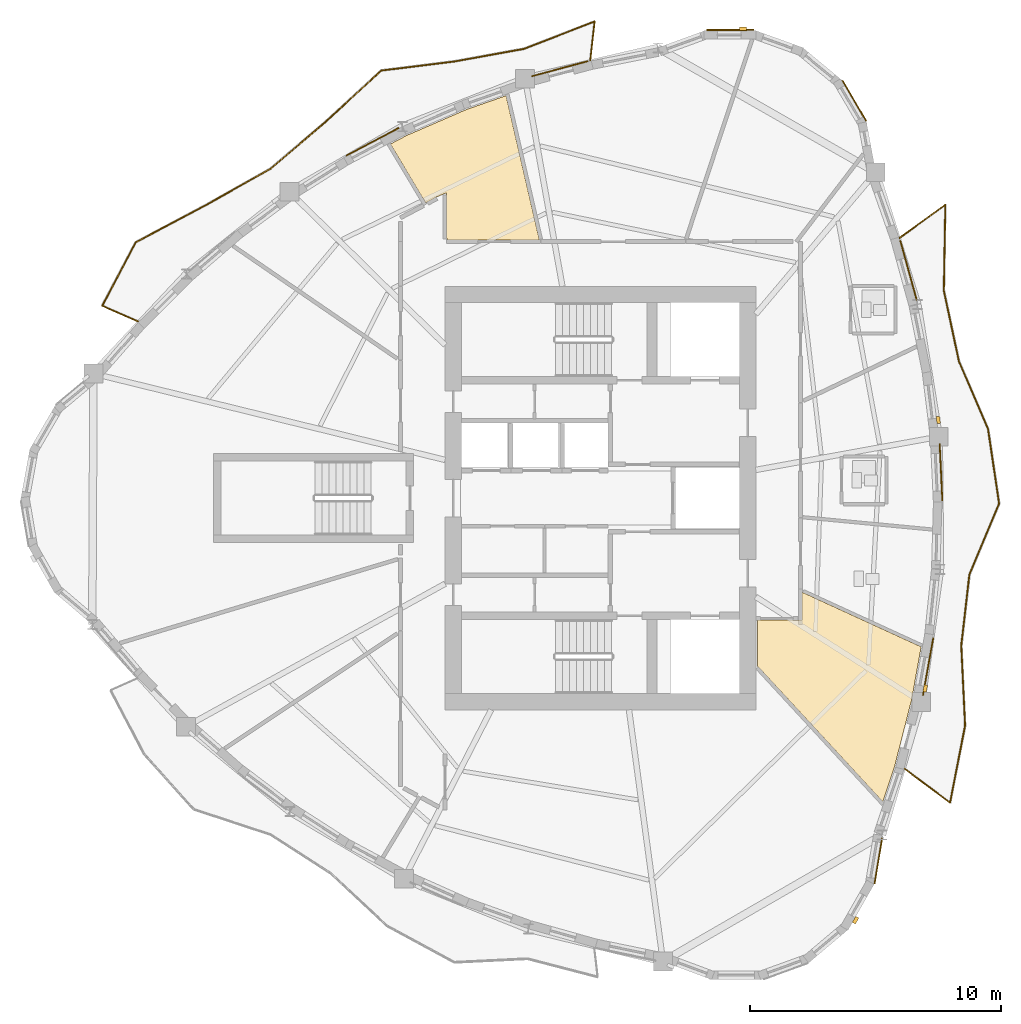
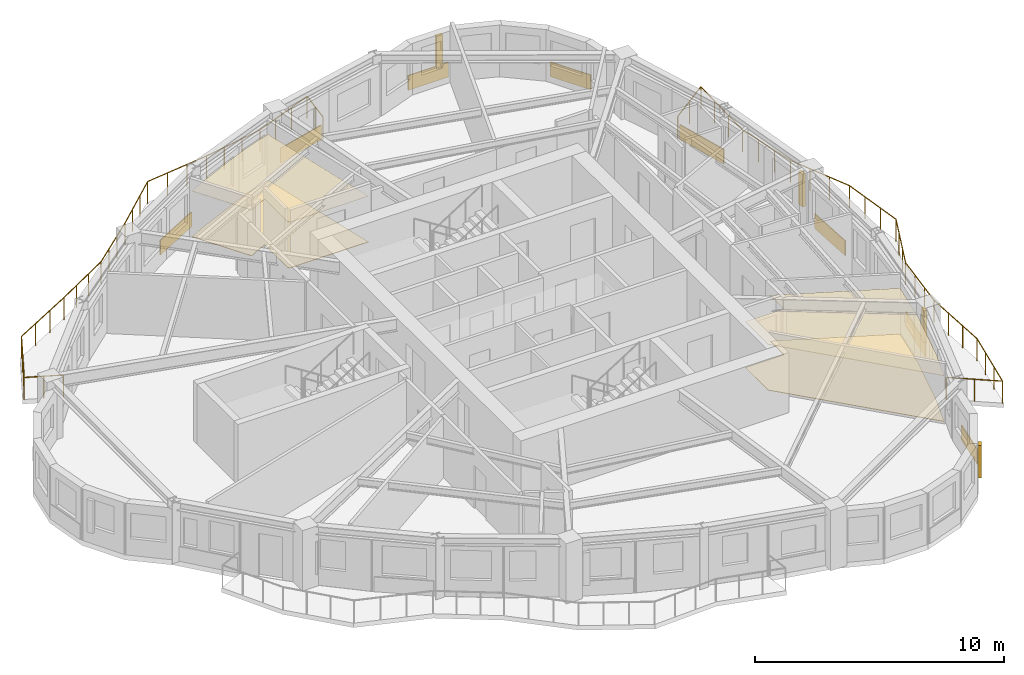
# One storey, part 11 of 12: 12 coverings, 4 shading devices, 2 railings.
"""IFC4 building model written with IfcOpenShell, lengths in metres."""

from ifc_helpers import new_model, si_unit, direction, frame, origin, origin_2d, place, context, subcontext, project, spatial, polyline, rectangle, circle, outline, extrude, source, transform, mapped, material, layer, layer_set, type_object, element, save


model = new_model("IFC4")

# Units and contexts
model_context = context("Model", 3, precision=1e-05, world=origin(), true_north=direction((0.0, 1.0)))
body_context = subcontext(model_context, "Body", "Model", "MODEL_VIEW")
ifc_project = project(units=[si_unit("LENGTHUNIT", "METRE"), si_unit("AREAUNIT", "SQUARE_METRE"), si_unit("VOLUMEUNIT", "CUBIC_METRE"), si_unit("PLANEANGLEUNIT", "RADIAN"), si_unit("MASSUNIT", "GRAM", prefix="KILO")], contexts=[model_context])

# Site, building, storey
site_placement = place(None, origin())
site = spatial("IfcSite", under=ifc_project, at=site_placement, CompositionType="ELEMENT")
building_placement = place(site_placement, origin())
building = spatial("IfcBuilding", under=site, at=building_placement, Name="Qafzar Sky-Pleat Residences", CompositionType="ELEMENT")
storey_placement = place(building_placement, frame((0.0, 0.0, 145.800048828125)))
storey = spatial("IfcBuildingStorey", under=building, at=storey_placement, Name="L43", CompositionType="ELEMENT", Elevation=145.800048828125)

# Coverings
ifc_material_1 = material(Name="Perforated acoustic gypsum board ceiling")
ifc_layer_1 = layer(ifc_material_1, 0.02001953125)
ifc_layer_set_1 = layer_set([ifc_layer_1], Name="Perforated acoustic gypsum board ceiling")
covering_type_1 = type_object("IfcCoveringType", Name="COV-CEIL-ACOUSTIC", PredefinedType="CEILING", material=ifc_layer_set_1)
covering_1_placement = place(storey_placement, frame((0.0, 0.0, 2.239990234375)))
element("IfcCovering", 1, at=covering_1_placement, inside=storey, type_object=covering_type_1, Name="L43 Communal Kitchen Acoustic Ceiling", PredefinedType="CEILING", context=body_context, shape_type="SweptSolid", body=[
    extrude(outline(polyline([(22.614013671875, 40.470703125), (24.9873046875, 41.50244140625), (26.584228515625, 42.059814453125), (27.9150390625, 36.2900390625), (24.2666015625, 36.2900390625), (24.2099609375, 36.384521484375), (24.2099609375, 38.1875), (23.797119140625, 38.008056640625), (23.373046875, 37.7841796875), (21.969970703125, 40.130615234375), (22.614013671875, 40.470703125)])), origin(), (0.0, 0.0, 1.0), 0.02001953125),
])
covering_2_placement = place(storey_placement, frame((0.0, 0.0, 2.239990234375)))
element("IfcCovering", 2, at=covering_2_placement, inside=storey, type_object=covering_type_1, Name="L43 Co-Living Lounge Acoustic Ceiling", PredefinedType="CEILING", context=body_context, shape_type="SweptSolid", body=[
    extrude(outline(polyline([(42.768798828125, 17.944580078125), (42.097900390625, 15.31982421875), (41.62109375, 13.880615234375), (36.610107421875, 19.30810546875), (36.610107421875, 21.139892578125), (38.389892578125, 21.139892578125), (38.389892578125, 22.246337890625), (43.150390625, 20.06298828125), (42.768798828125, 17.944580078125)])), origin(), (0.0, 0.0, 1.0), 0.02001953125),
])
ifc_material_2 = material(Name="Honed porcelain and Riyadh stone tile flooring", Category="masonry")
ifc_layer_2 = layer(ifc_material_2, 0.02001953125)
ifc_layer_set_2 = layer_set([ifc_layer_2], Name="Honed porcelain and Riyadh stone tile flooring")
covering_type_2 = type_object("IfcCoveringType", Name="COV-FLR-PORCELAIN", PredefinedType="FLOORING", material=ifc_layer_set_2)
covering_3_placement = place(storey_placement, origin())
element("IfcCovering", 3, at=covering_3_placement, inside=storey, type_object=covering_type_2, Name="L43 Communal Kitchen Honed Stone Flooring", PredefinedType="FLOORING", context=body_context, shape_type="SweptSolid", body=[
    extrude(outline(polyline([(22.614013671875, 40.470703125), (24.9873046875, 41.50244140625), (26.584228515625, 42.059814453125), (27.9150390625, 36.2900390625), (24.2666015625, 36.2900390625), (24.2099609375, 36.384521484375), (24.2099609375, 38.1875), (23.797119140625, 38.008056640625), (23.373046875, 37.7841796875), (21.969970703125, 40.130615234375), (22.614013671875, 40.470703125)])), origin(), (0.0, 0.0, 1.0), 0.02001953125),
])
covering_4_placement = place(storey_placement, origin())
element("IfcCovering", 4, at=covering_4_placement, inside=storey, type_object=covering_type_2, Name="L43 Co-Living Lounge Honed Stone Flooring", PredefinedType="FLOORING", context=body_context, shape_type="SweptSolid", body=[
    extrude(outline(polyline([(42.768798828125, 17.944580078125), (42.097900390625, 15.31982421875), (41.62109375, 13.880615234375), (36.610107421875, 19.30810546875), (36.610107421875, 21.139892578125), (38.389892578125, 21.139892578125), (38.389892578125, 22.246337890625), (43.150390625, 20.06298828125), (42.768798828125, 17.944580078125)])), origin(), (0.0, 0.0, 1.0), 0.02001953125),
])

# Shading devices
ifc_material_3 = material(Name="Honed Riyadh limestone solar fin", Category="masonry")
ifc_layer_3 = layer(ifc_material_3, 0.139892578125)
ifc_layer_set_3 = layer_set([ifc_layer_3], Name="Honed Riyadh limestone solar fin")
shading_device_type = type_object("IfcShadingDeviceType", Name="SHD-FIN-STONE", PredefinedType="SHUTTER", material=ifc_layer_set_3)
shared_shape_1 = source(origin(), body_context, "Body", "SweptSolid", [
    extrude(rectangle(XDim=0.139892578125, YDim=0.280029296875, at=origin_2d()), origin(), (0.0, 0.0, 1.0), 1.60009765625),
])
for number, where, z_axis, x_axis, name in (
    (5, (40.53369140625, 9.155517578125, 0.599853515625), (0.0, 0.0, 1.0), (0.868430786621, -0.495810416236, 0.0), "L43 Limestone Solar Fin 21"),
    (6, (43.314208984375, 18.405029296875, 0.599853515625), (0.0, 0.0, 1.0), (0.98418163993, -0.177162353861, 0.0), "L43 Limestone Solar Fin 25"),
    (7, (43.834716796875, 29.11767578125, 0.599853515625), (0.0, 0.0, 1.0), (0.992425702068, 0.122846350678, 0.0), "L43 Limestone Solar Fin 29"),
    (8, (36.04345703125, 44.72509765625, 0.599853515625), (0.0, 0.0, 1.0), (-0.002443761091, 0.999997014011, 0.0), "L43 Limestone Solar Fin 37"),
):
    element("IfcShadingDevice", number, at=place(storey_placement, frame(where, z_axis=z_axis, x_axis=x_axis)), inside=storey, type_object=shading_device_type, Name=name, PredefinedType="SHUTTER", context=body_context, shape_type="MappedRepresentation", body=[
        mapped(shared_shape_1, transform((0.0, 0.0, 0.0), x_axis=(1.0, 0.0, 0.0), y_axis=(0.0, 1.0, 0.0), z_axis=(0.0, 0.0, 1.0), scale=1.0)),
    ])

# Coverings
ifc_material_4 = material(Name="Honed Riyadh Tuwaiq limestone cladding", Category="masonry")
ifc_layer_4 = layer(ifc_material_4, 0.044921875)
ifc_layer_set_4 = layer_set([ifc_layer_4], Name="Honed Riyadh Tuwaiq limestone cladding")
covering_type_3 = type_object("IfcCoveringType", Name="COV-CLAD-STONE", PredefinedType="CLADDING", material=ifc_layer_set_4)
shared_shape_2 = source(origin(), body_context, "Body", "SweptSolid", [
    extrude(rectangle(XDim=1.873046875, YDim=0.044921875, at=origin_2d()), origin(), (0.0, 0.0, 1.0), 0.719970703125),
])
for number, where, z_axis, x_axis, name in (
    (9, (40.484130859375, 41.849609375, 0.02001953125), (0.0, 0.0, 1.0), (-0.50623242321, 0.862397085855, 0.0), "L43 Riyadh Limestone Spandrel Cladding 34"),
    (10, (35.52490234375, 44.680908203125, 0.02001953125), (0.0, 0.0, 1.0), (-0.999996997227, -0.002450619708, 0.0), "L43 Riyadh Limestone Spandrel Cladding 37"),
):
    element("IfcCovering", number, at=place(storey_placement, frame(where, z_axis=z_axis, x_axis=x_axis)), inside=storey, type_object=covering_type_3, Name=name, PredefinedType="CLADDING", context=body_context, shape_type="MappedRepresentation", body=[
        mapped(shared_shape_2, transform((0.0, 0.0, 0.0), x_axis=(1.0, 0.0, 0.0), y_axis=(0.0, 1.0, 0.0), z_axis=(0.0, 0.0, 1.0), scale=1.0)),
    ])
shared_shape_3 = source(origin(), body_context, "Body", "SweptSolid", [
    extrude(rectangle(XDim=1.845703125, YDim=0.044921875, at=origin_2d()), origin(), (0.0, 0.0, 1.0), 0.719970703125),
])
covering_5_placement = place(storey_placement, frame((41.44189453125, 11.5224609375, 0.02001953125), z_axis=(0.0, 0.0, 1.0), x_axis=(0.165695669574, 0.986176933965, 0.0)))
element("IfcCovering", 11, at=covering_5_placement, inside=storey, type_object=covering_type_3, Name="L43 Riyadh Limestone Spandrel Cladding 22", PredefinedType="CLADDING", context=body_context, shape_type="MappedRepresentation", body=[
    mapped(shared_shape_3, transform((0.0, 0.0, 0.0), x_axis=(1.0, 0.0, 0.0), y_axis=(0.0, 1.0, 0.0), z_axis=(0.0, 0.0, 1.0), scale=1.0)),
])

# Railings
ifc_material_5 = material(Name="Laminated glass and bronze steel balustrade", Category="steel")
railing_type = type_object("IfcRailingType", Name="RAIL-BAL-1100", PredefinedType="BALUSTRADE", material=ifc_material_5)
shared_shape_4 = source(origin(), body_context, "Body", "SweptSolid", [
    extrude(circle(Radius=0.02392578125, at=origin_2d()), frame((0.0, 0.0, 1.076171875), z_axis=(0.801738370119, -0.597675150796, 0.0), x_axis=(0.597675150796, 0.801738370119, 0.0)), (0.0, 0.0, 1.0), 2.270751953125),
    extrude(circle(Radius=0.02392578125, at=origin_2d()), frame((1.820556640625, -1.357177734375, 1.076171875), z_axis=(0.191812510841, 0.981431587369, 0.0), x_axis=(-0.981431587369, 0.191812510841, 0.0)), (0.0, 0.0, 1.0), 3.13232421875),
    extrude(circle(Radius=0.02392578125, at=origin_2d()), frame((2.42138671875, 1.717041015625, 1.076171875), z_axis=(-0.047909482619, 0.99885168142, 0.0), x_axis=(-0.99885168142, -0.047909482619, 0.0)), (0.0, 0.0, 1.0), 3.2001953125),
    extrude(circle(Radius=0.02392578125, at=origin_2d()), frame((2.26806640625, 4.91357421875, 1.076171875), z_axis=(0.113889523289, 0.993493420454, 0.0), x_axis=(-0.993493420454, 0.113889523289, 0.0)), (0.0, 0.0, 1.0), 2.85107421875),
    extrude(circle(Radius=0.02392578125, at=origin_2d()), frame((2.5927734375, 7.74609375, 1.076171875), z_axis=(0.386910202033, 0.922117397929, 0.0), x_axis=(-0.922117397929, 0.386910202033, 0.0)), (0.0, 0.0, 1.0), 3.0654296875),
    extrude(circle(Radius=0.02392578125, at=origin_2d()), frame((3.77880859375, 10.57275390625, 1.076171875), z_axis=(-0.146907517821, 0.98915023187, 0.0), x_axis=(-0.98915023187, -0.146907517821, 0.0)), (0.0, 0.0, 1.0), 3.008056640625),
    extrude(circle(Radius=0.02392578125, at=origin_2d()), frame((3.3369140625, 13.548095703125, 1.076171875), z_axis=(-0.39447898489, 0.918904962703, 0.0), x_axis=(-0.918904962703, -0.39447898489, 0.0)), (0.0, 0.0, 1.0), 2.94775390625),
    extrude(circle(Radius=0.02392578125, at=origin_2d()), frame((2.174072265625, 16.2568359375, 1.076171875), z_axis=(-0.208891662036, 0.977938788234, 0.0), x_axis=(-0.977938788234, -0.208891662036, 0.0)), (0.0, 0.0, 1.0), 2.87744140625),
    extrude(circle(Radius=0.02392578125, at=origin_2d()), frame((1.572998046875, 19.07080078125, 1.076171875), z_axis=(0.017554871882, 0.999845901363, 0.0), x_axis=(-0.999845901363, 0.017554871882, 0.0)), (0.0, 0.0, 1.0), 3.43505859375),
    extrude(circle(Radius=0.02392578125, at=origin_2d()), frame((1.63330078125, 22.50537109375, 1.076171875), z_axis=(-0.809028881975, -0.587768890067, 0.0), x_axis=(0.587768890067, -0.809028881975, 0.0)), (0.0, 0.0, 1.0), 2.270751953125),
    extrude(circle(Radius=0.02099609375, at=origin_2d()), origin(), (0.0, 0.0, 1.0), 1.052001953125),
    extrude(circle(Radius=0.02099609375, at=origin_2d()), frame((0.91015625, -0.6787109375, 0.0)), (0.0, 0.0, 1.0), 1.052001953125),
    extrude(circle(Radius=0.02099609375, at=origin_2d()), frame((1.820556640625, -1.357177734375, 0.0)), (0.0, 0.0, 1.0), 1.052001953125),
    extrude(circle(Radius=0.02099609375, at=origin_2d()), frame((2.020751953125, -0.33251953125, 0.0)), (0.0, 0.0, 1.0), 1.052001953125),
    extrude(circle(Radius=0.02099609375, at=origin_2d()), frame((2.22119140625, 0.6923828125, 0.0)), (0.0, 0.0, 1.0), 1.052001953125),
    extrude(circle(Radius=0.02099609375, at=origin_2d()), frame((2.42138671875, 1.717041015625, 0.0)), (0.0, 0.0, 1.0), 1.052001953125),
    extrude(circle(Radius=0.02099609375, at=origin_2d()), frame((2.370361328125, 2.782470703125, 0.0)), (0.0, 0.0, 1.0), 1.052001953125),
    extrude(circle(Radius=0.02099609375, at=origin_2d()), frame((2.319091796875, 3.84814453125, 0.0)), (0.0, 0.0, 1.0), 1.052001953125),
    extrude(circle(Radius=0.02099609375, at=origin_2d()), frame((2.26806640625, 4.91357421875, 0.0)), (0.0, 0.0, 1.0), 1.052001953125),
    extrude(circle(Radius=0.02099609375, at=origin_2d()), frame((2.376220703125, 5.857666015625, 0.0)), (0.0, 0.0, 1.0), 1.052001953125),
    extrude(circle(Radius=0.02099609375, at=origin_2d()), frame((2.484619140625, 6.802001953125, 0.0)), (0.0, 0.0, 1.0), 1.052001953125),
    extrude(circle(Radius=0.02099609375, at=origin_2d()), frame((2.5927734375, 7.74609375, 0.0)), (0.0, 0.0, 1.0), 1.052001953125),
    extrude(circle(Radius=0.02099609375, at=origin_2d()), frame((2.988037109375, 8.688232421875, 0.0)), (0.0, 0.0, 1.0), 1.052001953125),
    extrude(circle(Radius=0.02099609375, at=origin_2d()), frame((3.383544921875, 9.630615234375, 0.0)), (0.0, 0.0, 1.0), 1.052001953125),
    extrude(circle(Radius=0.02099609375, at=origin_2d()), frame((3.77880859375, 10.57275390625, 0.0)), (0.0, 0.0, 1.0), 1.052001953125),
    extrude(circle(Radius=0.02099609375, at=origin_2d()), frame((3.631591796875, 11.564453125, 0.0)), (0.0, 0.0, 1.0), 1.052001953125),
    extrude(circle(Radius=0.02099609375, at=origin_2d()), frame((3.484130859375, 12.556396484375, 0.0)), (0.0, 0.0, 1.0), 1.052001953125),
    extrude(circle(Radius=0.02099609375, at=origin_2d()), frame((3.3369140625, 13.548095703125, 0.0)), (0.0, 0.0, 1.0), 1.052001953125),
    extrude(circle(Radius=0.02099609375, at=origin_2d()), frame((2.94921875, 14.450927734375, 0.0)), (0.0, 0.0, 1.0), 1.052001953125),
    extrude(circle(Radius=0.02099609375, at=origin_2d()), frame((2.561767578125, 15.35400390625, 0.0)), (0.0, 0.0, 1.0), 1.052001953125),
    extrude(circle(Radius=0.02099609375, at=origin_2d()), frame((2.174072265625, 16.2568359375, 0.0)), (0.0, 0.0, 1.0), 1.052001953125),
    extrude(circle(Radius=0.02099609375, at=origin_2d()), frame((1.9736328125, 17.19482421875, 0.0)), (0.0, 0.0, 1.0), 1.052001953125),
    extrude(circle(Radius=0.02099609375, at=origin_2d()), frame((1.7734375, 18.1328125, 0.0)), (0.0, 0.0, 1.0), 1.052001953125),
    extrude(circle(Radius=0.02099609375, at=origin_2d()), frame((1.572998046875, 19.07080078125, 0.0)), (0.0, 0.0, 1.0), 1.052001953125),
    extrude(circle(Radius=0.02099609375, at=origin_2d()), frame((1.593017578125, 20.215576171875, 0.0)), (0.0, 0.0, 1.0), 1.052001953125),
    extrude(circle(Radius=0.02099609375, at=origin_2d()), frame((1.61328125, 21.360595703125, 0.0)), (0.0, 0.0, 1.0), 1.052001953125),
    extrude(circle(Radius=0.02099609375, at=origin_2d()), frame((1.63330078125, 22.50537109375, 0.0)), (0.0, 0.0, 1.0), 1.052001953125),
    extrude(circle(Radius=0.02099609375, at=origin_2d()), frame((0.71484375, 21.837890625, 0.0)), (0.0, 0.0, 1.0), 1.052001953125),
    extrude(circle(Radius=0.02099609375, at=origin_2d()), frame((-0.203857421875, 21.170654296875, 0.0)), (0.0, 0.0, 1.0), 1.052001953125),
])
railing_1_placement = place(storey_placement, frame((42.48193359375, 15.202880859375, 0.0)))
element("IfcRailing", 12, at=railing_1_placement, inside=storey, type_object=railing_type, Name="L43 Pleated Balcony 1 Balustrade", PredefinedType="BALUSTRADE", context=body_context, shape_type="MappedRepresentation", body=[
    mapped(shared_shape_4, transform((0.0, 0.0, 0.0), x_axis=(1.0, 0.0, 0.0), y_axis=(0.0, 1.0, 0.0), z_axis=(0.0, 0.0, 1.0), scale=1.0)),
])
shared_shape_5 = source(origin(), body_context, "Body", "SweptSolid", [
    extrude(circle(Radius=0.02392578125, at=origin_2d()), frame((0.0, 0.0, 1.076171875), z_axis=(0.110618309262, 0.993862963218, 0.0), x_axis=(-0.993862963218, 0.110618309262, 0.0)), (0.0, 0.0, 1.0), 1.578125),
    extrude(circle(Radius=0.02392578125, at=origin_2d()), frame((0.174560546875, 1.568359375, 1.076171875), z_axis=(-0.932479533702, -0.361222811056, 0.0), x_axis=(0.361222811056, -0.932479533702, 0.0)), (0.0, 0.0, 1.0), 3.0244140625),
    extrude(circle(Radius=0.02392578125, at=origin_2d()), frame((-2.645751953125, 0.475830078125, 1.076171875), z_axis=(-0.983907450095, -0.178678844993, 0.0), x_axis=(0.178678844993, -0.983907450095, 0.0)), (0.0, 0.0, 1.0), 2.807861328125),
    extrude(circle(Radius=0.02392578125, at=origin_2d()), frame((-5.408447265625, -0.02587890625, 1.076171875), z_axis=(-0.992323623846, -0.12366820754, 0.0), x_axis=(0.12366820754, -0.992323623846, 0.0)), (0.0, 0.0, 1.0), 2.951416015625),
    extrude(circle(Radius=0.02392578125, at=origin_2d()), frame((-8.337158203125, -0.390869140625, 1.076171875), z_axis=(-0.736138828118, -0.676830573879, 0.0), x_axis=(0.676830573879, -0.736138828118, 0.0)), (0.0, 0.0, 1.0), 3.066650390625),
    extrude(circle(Radius=0.02392578125, at=origin_2d()), frame((-10.5947265625, -2.466552734375, 1.076171875), z_axis=(-0.761156865592, -0.648567826802, 0.0), x_axis=(0.648567826802, -0.761156865592, 0.0)), (0.0, 0.0, 1.0), 2.8427734375),
    extrude(circle(Radius=0.02392578125, at=origin_2d()), frame((-12.758544921875, -4.310302734375, 1.076171875), z_axis=(-0.872004474048, -0.489497903203, 0.0), x_axis=(0.489497903203, -0.872004474048, 0.0)), (0.0, 0.0, 1.0), 2.916259765625),
    extrude(circle(Radius=0.02392578125, at=origin_2d()), frame((-15.301513671875, -5.73779296875, 1.076171875), z_axis=(-0.883474524435, -0.468479204101, 0.0), x_axis=(0.468479204101, -0.883474524435, 0.0)), (0.0, 0.0, 1.0), 3.204345703125),
    extrude(circle(Radius=0.02392578125, at=origin_2d()), frame((-18.132568359375, -7.239013671875, 1.076171875), z_axis=(-0.46738333082, -0.884054761919, 0.0), x_axis=(0.884054761919, -0.46738333082, 0.0)), (0.0, 0.0, 1.0), 2.869384765625),
    extrude(circle(Radius=0.02392578125, at=origin_2d()), frame((-19.4736328125, -9.775634765625, 1.076171875), z_axis=(0.916011699068, -0.401151551374, 0.0), x_axis=(0.401151551374, 0.916011699068, 0.0)), (0.0, 0.0, 1.0), 1.578125),
    extrude(circle(Radius=0.02099609375, at=origin_2d()), origin(), (0.0, 0.0, 1.0), 1.052001953125),
    extrude(circle(Radius=0.02099609375, at=origin_2d()), frame((0.08740234375, 0.7841796875, 0.0)), (0.0, 0.0, 1.0), 1.052001953125),
    extrude(circle(Radius=0.02099609375, at=origin_2d()), frame((0.174560546875, 1.568359375, 0.0)), (0.0, 0.0, 1.0), 1.052001953125),
    extrude(circle(Radius=0.02099609375, at=origin_2d()), frame((-0.765625, 1.2041015625, 0.0)), (0.0, 0.0, 1.0), 1.052001953125),
    extrude(circle(Radius=0.02099609375, at=origin_2d()), frame((-1.70556640625, 0.840087890625, 0.0)), (0.0, 0.0, 1.0), 1.052001953125),
    extrude(circle(Radius=0.02099609375, at=origin_2d()), frame((-2.645751953125, 0.475830078125, 0.0)), (0.0, 0.0, 1.0), 1.052001953125),
    extrude(circle(Radius=0.02099609375, at=origin_2d()), frame((-3.566650390625, 0.30859375, 0.0)), (0.0, 0.0, 1.0), 1.052001953125),
    extrude(circle(Radius=0.02099609375, at=origin_2d()), frame((-4.487548828125, 0.141357421875, 0.0)), (0.0, 0.0, 1.0), 1.052001953125),
    extrude(circle(Radius=0.02099609375, at=origin_2d()), frame((-5.408447265625, -0.02587890625, 0.0)), (0.0, 0.0, 1.0), 1.052001953125),
    extrude(circle(Radius=0.02099609375, at=origin_2d()), frame((-6.384765625, -0.1474609375, 0.0)), (0.0, 0.0, 1.0), 1.052001953125),
    extrude(circle(Radius=0.02099609375, at=origin_2d()), frame((-7.36083984375, -0.269287109375, 0.0)), (0.0, 0.0, 1.0), 1.052001953125),
    extrude(circle(Radius=0.02099609375, at=origin_2d()), frame((-8.337158203125, -0.390869140625, 0.0)), (0.0, 0.0, 1.0), 1.052001953125),
    extrude(circle(Radius=0.02099609375, at=origin_2d()), frame((-9.089599609375, -1.082763671875, 0.0)), (0.0, 0.0, 1.0), 1.052001953125),
    extrude(circle(Radius=0.02099609375, at=origin_2d()), frame((-9.84228515625, -1.774658203125, 0.0)), (0.0, 0.0, 1.0), 1.052001953125),
    extrude(circle(Radius=0.02099609375, at=origin_2d()), frame((-10.5947265625, -2.466552734375, 0.0)), (0.0, 0.0, 1.0), 1.052001953125),
    extrude(circle(Radius=0.02099609375, at=origin_2d()), frame((-11.31591796875, -3.0810546875, 0.0)), (0.0, 0.0, 1.0), 1.052001953125),
    extrude(circle(Radius=0.02099609375, at=origin_2d()), frame((-12.037353515625, -3.69580078125, 0.0)), (0.0, 0.0, 1.0), 1.052001953125),
    extrude(circle(Radius=0.02099609375, at=origin_2d()), frame((-12.758544921875, -4.310302734375, 0.0)), (0.0, 0.0, 1.0), 1.052001953125),
    extrude(circle(Radius=0.02099609375, at=origin_2d()), frame((-13.606201171875, -4.7861328125, 0.0)), (0.0, 0.0, 1.0), 1.052001953125),
    extrude(circle(Radius=0.02099609375, at=origin_2d()), frame((-14.453857421875, -5.261962890625, 0.0)), (0.0, 0.0, 1.0), 1.052001953125),
    extrude(circle(Radius=0.02099609375, at=origin_2d()), frame((-15.301513671875, -5.73779296875, 0.0)), (0.0, 0.0, 1.0), 1.052001953125),
    extrude(circle(Radius=0.02099609375, at=origin_2d()), frame((-16.2451171875, -6.23828125, 0.0)), (0.0, 0.0, 1.0), 1.052001953125),
    extrude(circle(Radius=0.02099609375, at=origin_2d()), frame((-17.18896484375, -6.738525390625, 0.0)), (0.0, 0.0, 1.0), 1.052001953125),
    extrude(circle(Radius=0.02099609375, at=origin_2d()), frame((-18.132568359375, -7.239013671875, 0.0)), (0.0, 0.0, 1.0), 1.052001953125),
    extrude(circle(Radius=0.02099609375, at=origin_2d()), frame((-18.57958984375, -8.08447265625, 0.0)), (0.0, 0.0, 1.0), 1.052001953125),
    extrude(circle(Radius=0.02099609375, at=origin_2d()), frame((-19.026611328125, -8.93017578125, 0.0)), (0.0, 0.0, 1.0), 1.052001953125),
    extrude(circle(Radius=0.02099609375, at=origin_2d()), frame((-19.4736328125, -9.775634765625, 0.0)), (0.0, 0.0, 1.0), 1.052001953125),
    extrude(circle(Radius=0.02099609375, at=origin_2d()), frame((-18.7509765625, -10.09228515625, 0.0)), (0.0, 0.0, 1.0), 1.052001953125),
    extrude(circle(Radius=0.02099609375, at=origin_2d()), frame((-18.028076171875, -10.40869140625, 0.0)), (0.0, 0.0, 1.0), 1.052001953125),
])
railing_2_placement = place(storey_placement, frame((29.943359375, 43.451171875, 0.0)))
element("IfcRailing", 13, at=railing_2_placement, inside=storey, type_object=railing_type, Name="L43 Pleated Balcony 2 Balustrade", PredefinedType="BALUSTRADE", context=body_context, shape_type="MappedRepresentation", body=[
    mapped(shared_shape_5, transform((0.0, 0.0, 0.0), x_axis=(1.0, 0.0, 0.0), y_axis=(0.0, 1.0, 0.0), z_axis=(0.0, 0.0, 1.0), scale=1.0)),
])

# Coverings
shared_shape_6 = source(origin(), body_context, "Body", "SweptSolid", [
    extrude(rectangle(XDim=2.3173828125, YDim=0.044921875, at=origin_2d()), origin(), (0.0, 0.0, 1.0), 0.719970703125),
])
covering_6_placement = place(storey_placement, frame((43.427490234375, 19.277099609375, 0.02001953125), z_axis=(0.0, 0.0, 1.0), x_axis=(0.177176321784, 0.984179125464, 0.0)))
element("IfcCovering", 14, at=covering_6_placement, inside=storey, type_object=covering_type_3, Name="L43 Riyadh Limestone Spandrel Cladding 25", PredefinedType="CLADDING", context=body_context, shape_type="MappedRepresentation", body=[
    mapped(shared_shape_6, transform((0.0, 0.0, 0.0), x_axis=(1.0, 0.0, 0.0), y_axis=(0.0, 1.0, 0.0), z_axis=(0.0, 0.0, 1.0), scale=1.0)),
])
shared_shape_7 = source(origin(), body_context, "Body", "SweptSolid", [
    extrude(rectangle(XDim=2.276611328125, YDim=0.044921875, at=origin_2d()), origin(), (0.0, 0.0, 1.0), 0.719970703125),
])
covering_7_placement = place(storey_placement, frame((43.94189453125, 27.0302734375, 0.02001953125), z_axis=(0.0, 0.0, 1.0), x_axis=(-0.047597079458, 0.998866616735, 0.0)))
element("IfcCovering", 15, at=covering_7_placement, inside=storey, type_object=covering_type_3, Name="L43 Riyadh Limestone Spandrel Cladding 28", PredefinedType="CLADDING", context=body_context, shape_type="MappedRepresentation", body=[
    mapped(shared_shape_7, transform((0.0, 0.0, 0.0), x_axis=(1.0, 0.0, 0.0), y_axis=(0.0, 1.0, 0.0), z_axis=(0.0, 0.0, 1.0), scale=1.0)),
])
shared_shape_8 = source(origin(), body_context, "Body", "SweptSolid", [
    extrude(rectangle(XDim=2.47900390625, YDim=0.044921875, at=origin_2d()), origin(), (0.0, 0.0, 1.0), 0.719970703125),
])
covering_8_placement = place(storey_placement, frame((42.646240234375, 35.081298828125, 0.02001953125), z_axis=(0.0, 0.0, 1.0), x_axis=(-0.266362894968, 0.963872817432, 0.0)))
element("IfcCovering", 16, at=covering_8_placement, inside=storey, type_object=covering_type_3, Name="L43 Riyadh Limestone Spandrel Cladding 31", PredefinedType="CLADDING", context=body_context, shape_type="MappedRepresentation", body=[
    mapped(shared_shape_8, transform((0.0, 0.0, 0.0), x_axis=(1.0, 0.0, 0.0), y_axis=(0.0, 1.0, 0.0), z_axis=(0.0, 0.0, 1.0), scale=1.0)),
])
shared_shape_9 = source(origin(), body_context, "Body", "SweptSolid", [
    extrude(rectangle(XDim=2.31640625, YDim=0.044921875, at=origin_2d()), origin(), (0.0, 0.0, 1.0), 0.719970703125),
])
covering_9_placement = place(storey_placement, frame((28.73046875, 43.135009765625, 0.02001953125), z_axis=(0.0, 0.0, 1.0), x_axis=(-0.965460656968, -0.260548881877, 0.0)))
element("IfcCovering", 17, at=covering_9_placement, inside=storey, type_object=covering_type_3, Name="L43 Riyadh Limestone Spandrel Cladding 40", PredefinedType="CLADDING", context=body_context, shape_type="MappedRepresentation", body=[
    mapped(shared_shape_9, transform((0.0, 0.0, 0.0), x_axis=(1.0, 0.0, 0.0), y_axis=(0.0, 1.0, 0.0), z_axis=(0.0, 0.0, 1.0), scale=1.0)),
])
shared_shape_10 = source(origin(), body_context, "Body", "SweptSolid", [
    extrude(rectangle(XDim=2.358154296875, YDim=0.044921875, at=origin_2d()), origin(), (0.0, 0.0, 1.0), 0.719970703125),
])
covering_10_placement = place(storey_placement, frame((21.25830078125, 40.220947265625, 0.02001953125), z_axis=(0.0, 0.0, 1.0), x_axis=(-0.884396130173, -0.466737061883, 0.0)))
element("IfcCovering", 18, at=covering_10_placement, inside=storey, type_object=covering_type_3, Name="L43 Riyadh Limestone Spandrel Cladding 43", PredefinedType="CLADDING", context=body_context, shape_type="MappedRepresentation", body=[
    mapped(shared_shape_10, transform((0.0, 0.0, 0.0), x_axis=(1.0, 0.0, 0.0), y_axis=(0.0, 1.0, 0.0), z_axis=(0.0, 0.0, 1.0), scale=1.0)),
])

save(model, "model.ifc")
